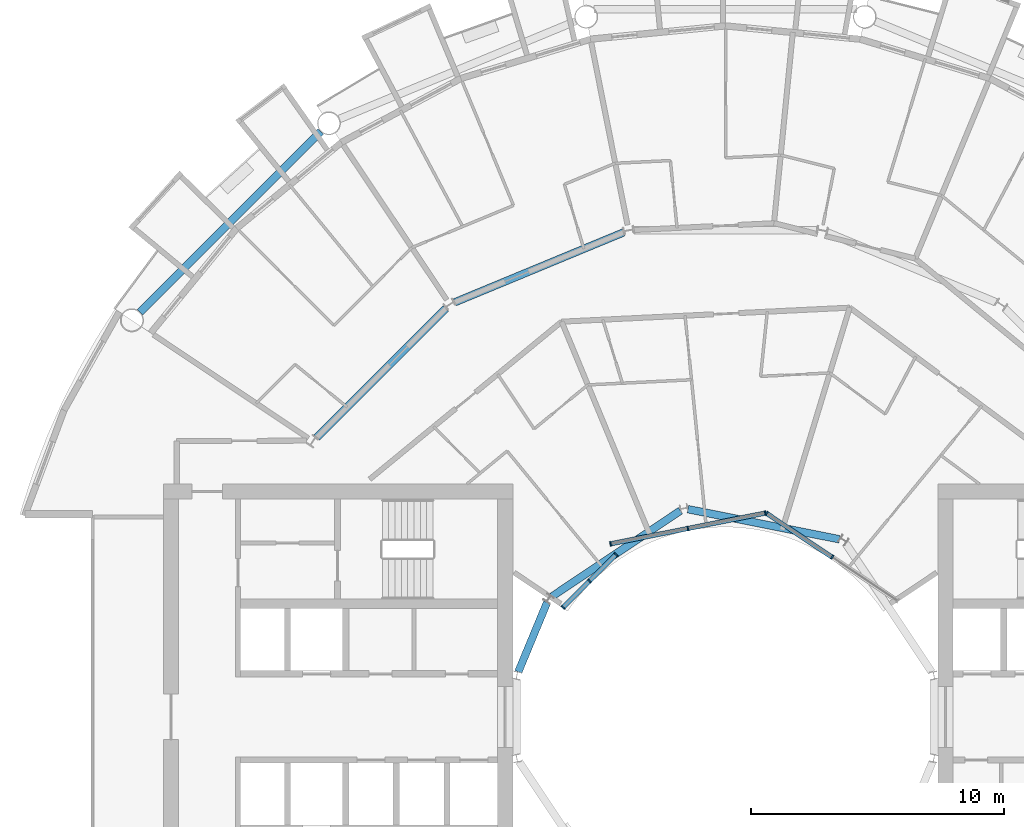
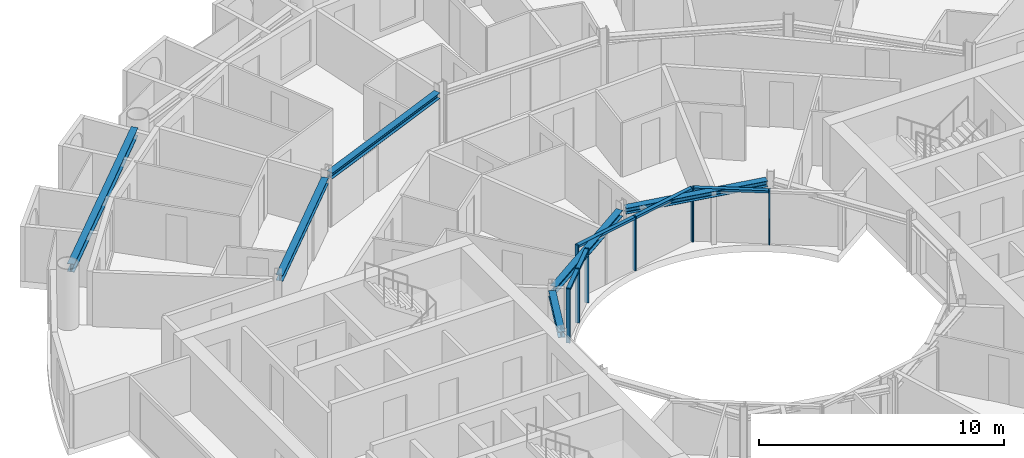
# One storey, part 8 of 27: 13 members, 6 beams, 3 elements without a shape of their own.
"""IFC4 building model written with IfcOpenShell, lengths in metres."""

from ifc_helpers import new_model, si_unit, direction, frame, origin, origin_2d, place, context, subcontext, project, spatial, rectangle, i_section, extrude, material, layer, layer_set, material_profile, profile_set, type_object, element, aggregate, save


model = new_model("IFC4")

# Units and contexts
model_context = context("Model", 3, precision=1e-05, world=origin(), true_north=direction((0.0, 1.0)))
body_context = subcontext(model_context, "Body", "Model", "MODEL_VIEW")
ifc_project = project(units=[si_unit("LENGTHUNIT", "METRE"), si_unit("AREAUNIT", "SQUARE_METRE"), si_unit("VOLUMEUNIT", "CUBIC_METRE"), si_unit("PLANEANGLEUNIT", "RADIAN"), si_unit("MASSUNIT", "GRAM", prefix="KILO")], contexts=[model_context])

# Site, building, storey
site_placement = place(None, origin())
site = spatial("IfcSite", under=ifc_project, at=site_placement, CompositionType="ELEMENT")
building_placement = place(site_placement, origin())
building = spatial("IfcBuilding", under=site, at=building_placement, Name="Maasbend Ring Residences", CompositionType="ELEMENT")
storey_placement = place(building_placement, frame((0.0, 0.0, 114.699951171875)))
storey = spatial("IfcBuildingStorey", under=building, at=storey_placement, Name="L32", CompositionType="ELEMENT", Elevation=114.699951171875)

# Curtain wall, members
ifc_material_1 = material(Name="Aluminium and clear glass", Category="aluminium")
ifc_layer = layer(ifc_material_1, 0.179931640625)
ifc_layer_set = layer_set([ifc_layer], Name="CW-W")
curtain_wall_type = type_object("IfcCurtainWallType", Name="CW-W", PredefinedType="NOTDEFINED", material=ifc_layer_set)
curtain_wall_1_placement = place(storey_placement, origin())
curtain_wall_1 = element("IfcCurtainWall", 1, at=curtain_wall_1_placement, inside=storey, type_object=curtain_wall_type, Name="Well curtain wall N1", PredefinedType="NOTDEFINED")
ifc_material_2 = material(Name="Aluminium 6063-T6", Category="aluminium")
ifc_material_profile_1 = material_profile(ifc_material_2, rectangle(XDim=0.179931640625, YDim=0.06005859375, at=origin_2d()), Name="AL 180x60")
ifc_profile_set_1 = profile_set([ifc_material_profile_1], Name="Aluminium 6063-T6")
member_type_1 = type_object("IfcMemberType", Name="CWM-W", PredefinedType="MULLION", material=ifc_profile_set_1)
member_1_placement = place(storey_placement, frame((4.216796875, 6.310791015625, 0.0), z_axis=(0.0, 0.0, 1.0), x_axis=(-0.55557023302, -0.831469612303, 0.0)))
member_1 = element("IfcMember", 2, at=member_1_placement, type_object=member_type_1, Name="Mullion well face", PredefinedType="MULLION", context=body_context, shape_type="SweptSolid", body=[
    extrude(rectangle(XDim=0.179931640625, YDim=0.06005859375, at=origin_2d()), origin(), (0.0, 0.0, 1.0), 2.699951171875),
])
member_2_placement = place(storey_placement, frame((1.627685546875, 8.040771484375, 0.0), z_axis=(0.0, 0.0, 1.0), x_axis=(-0.55557023302, -0.831469612303, 0.0)))
member_2 = element("IfcMember", 3, at=member_2_placement, type_object=member_type_1, Name="Mullion well face", PredefinedType="MULLION", context=body_context, shape_type="SweptSolid", body=[
    extrude(rectangle(XDim=0.179931640625, YDim=0.06005859375, at=origin_2d()), origin(), (0.0, 0.0, 1.0), 2.699951171875),
])

curtain_wall_2_placement = place(storey_placement, origin())
curtain_wall_2 = element("IfcCurtainWall", 4, at=curtain_wall_2_placement, inside=storey, type_object=curtain_wall_type, Name="Well curtain wall N2", PredefinedType="NOTDEFINED")
member_3_placement = place(storey_placement, frame((1.5732421875, 8.0517578125, 0.0), z_axis=(0.0, 0.0, 1.0), x_axis=(0.195090322016, -0.980785280403, 0.0)))
member_3 = element("IfcMember", 5, at=member_3_placement, type_object=member_type_1, Name="Mullion well face", PredefinedType="MULLION", context=body_context, shape_type="SweptSolid", body=[
    extrude(rectangle(XDim=0.179931640625, YDim=0.06005859375, at=origin_2d()), origin(), (0.0, 0.0, 1.0), 2.699951171875),
])
member_4_placement = place(storey_placement, frame((-1.480712890625, 7.444091796875, 0.0), z_axis=(0.0, 0.0, 1.0), x_axis=(0.195090322016, -0.980785280403, 0.0)))
member_4 = element("IfcMember", 6, at=member_4_placement, type_object=member_type_1, Name="Mullion well face", PredefinedType="MULLION", context=body_context, shape_type="SweptSolid", body=[
    extrude(rectangle(XDim=0.179931640625, YDim=0.06005859375, at=origin_2d()), origin(), (0.0, 0.0, 1.0), 2.699951171875),
])
member_5_placement = place(storey_placement, frame((-4.53466796875, 6.836669921875, 0.0), z_axis=(0.0, 0.0, 1.0), x_axis=(0.195090322016, -0.980785280403, 0.0)))
member_5 = element("IfcMember", 7, at=member_5_placement, type_object=member_type_1, Name="Mullion well face", PredefinedType="MULLION", context=body_context, shape_type="SweptSolid", body=[
    extrude(rectangle(XDim=0.179931640625, YDim=0.06005859375, at=origin_2d()), origin(), (0.0, 0.0, 1.0), 2.699951171875),
])

curtain_wall_3_placement = place(storey_placement, origin())
curtain_wall_3 = element("IfcCurtainWall", 8, at=curtain_wall_3_placement, inside=storey, type_object=curtain_wall_type, Name="Well curtain wall N3", PredefinedType="NOTDEFINED")
member_6_placement = place(storey_placement, frame((-4.320556640625, 6.413330078125, 0.0), z_axis=(0.0, 0.0, 1.0), x_axis=(0.707106781187, -0.707106781187, 0.0)))
member_6 = element("IfcMember", 9, at=member_6_placement, type_object=member_type_1, Name="Mullion well face", PredefinedType="MULLION", context=body_context, shape_type="SweptSolid", body=[
    extrude(rectangle(XDim=0.179931640625, YDim=0.06005859375, at=origin_2d()), origin(), (0.0, 0.0, 1.0), 2.699951171875),
])
member_7_placement = place(storey_placement, frame((-5.366943359375, 5.366943359375, 0.0), z_axis=(0.0, 0.0, 1.0), x_axis=(0.707106781187, -0.707106781187, 0.0)))
member_7 = element("IfcMember", 10, at=member_7_placement, type_object=member_type_1, Name="Mullion well face", PredefinedType="MULLION", context=body_context, shape_type="SweptSolid", body=[
    extrude(rectangle(XDim=0.179931640625, YDim=0.06005859375, at=origin_2d()), origin(), (0.0, 0.0, 1.0), 2.699951171875),
])
member_8_placement = place(storey_placement, frame((-6.413330078125, 4.320556640625, 0.0), z_axis=(0.0, 0.0, 1.0), x_axis=(0.707106781187, -0.707106781187, 0.0)))
member_8 = element("IfcMember", 11, at=member_8_placement, type_object=member_type_1, Name="Mullion well face", PredefinedType="MULLION", context=body_context, shape_type="SweptSolid", body=[
    extrude(rectangle(XDim=0.179931640625, YDim=0.06005859375, at=origin_2d()), origin(), (0.0, 0.0, 1.0), 2.699951171875),
])

# Member
ifc_material_3 = material(Name="Aluminium 6063-T6", Category="aluminium")
ifc_material_profile_2 = material_profile(ifc_material_3, rectangle(XDim=0.179931640625, YDim=0.1201171875, at=origin_2d()), Name="AL 180x120")
ifc_profile_set_2 = profile_set([ifc_material_profile_2], Name="Aluminium 6063-T6")
member_type_2 = type_object("IfcMemberType", Name="CWT-W", PredefinedType="USERDEFINED", material=ifc_profile_set_2)
member_9_placement = place(storey_placement, frame((4.19189453125, 6.32763671875, 2.64013671875), z_axis=(-0.831496422459, 0.555530106689, 0.0), x_axis=(-0.555530106689, -0.831496422459, 0.0)))
member_9 = element("IfcMember", 12, at=member_9_placement, type_object=member_type_2, Name="Transom well face", ObjectType="TRANSOM", PredefinedType="USERDEFINED", context=body_context, shape_type="SweptSolid", body=[
    extrude(rectangle(XDim=0.179931640625, YDim=0.1201171875, at=origin_2d()), origin(), (0.0, 0.0, 1.0), 3.053955078125),
])

aggregate(curtain_wall_1, [member_1, member_2, member_9])

member_10_placement = place(storey_placement, frame((1.5439453125, 8.0458984375, 2.64013671875), z_axis=(-0.980776956105, -0.195132166424, 0.0), x_axis=(0.195132166424, -0.980776956105, 0.0)))
member_10 = element("IfcMember", 13, at=member_10_placement, type_object=member_type_2, Name="Transom well face", ObjectType="TRANSOM", PredefinedType="USERDEFINED", context=body_context, shape_type="SweptSolid", body=[
    extrude(rectangle(XDim=0.179931640625, YDim=0.1201171875, at=origin_2d()), origin(), (0.0, 0.0, 1.0), 3.053955078125),
])

member_11_placement = place(storey_placement, frame((-1.51025390625, 7.438232421875, 2.64013671875), z_axis=(-0.980789210404, -0.19507056353, 0.0), x_axis=(0.19507056353, -0.980789210404, 0.0)))
member_11 = element("IfcMember", 14, at=member_11_placement, type_object=member_type_2, Name="Transom well face", ObjectType="TRANSOM", PredefinedType="USERDEFINED", context=body_context, shape_type="SweptSolid", body=[
    extrude(rectangle(XDim=0.179931640625, YDim=0.1201171875, at=origin_2d()), origin(), (0.0, 0.0, 1.0), 3.0537109375),
])

aggregate(curtain_wall_2, [member_3, member_4, member_5, member_10, member_11])

member_12_placement = place(storey_placement, frame((-4.341796875, 6.39208984375, 2.64013671875), z_axis=(-0.707106781187, -0.707106781187, 0.0), x_axis=(0.707106781187, -0.707106781187, 0.0)))
member_12 = element("IfcMember", 15, at=member_12_placement, type_object=member_type_2, Name="Transom well face", ObjectType="TRANSOM", PredefinedType="USERDEFINED", context=body_context, shape_type="SweptSolid", body=[
    extrude(rectangle(XDim=0.179931640625, YDim=0.1201171875, at=origin_2d()), origin(), (0.0, 0.0, 1.0), 1.419677734375),
])

member_13_placement = place(storey_placement, frame((-5.38818359375, 5.345703125, 2.64013671875), z_axis=(-0.707106781187, -0.707106781187, 0.0), x_axis=(0.707106781187, -0.707106781187, 0.0)))
member_13 = element("IfcMember", 16, at=member_13_placement, type_object=member_type_2, Name="Transom well face", ObjectType="TRANSOM", PredefinedType="USERDEFINED", context=body_context, shape_type="SweptSolid", body=[
    extrude(rectangle(XDim=0.179931640625, YDim=0.1201171875, at=origin_2d()), origin(), (0.0, 0.0, 1.0), 1.419677734375),
])

aggregate(curtain_wall_3, [member_6, member_7, member_8, member_12, member_13])

# Beams
ifc_material_4 = material(Name="Steel S355J2", Category="steel")
ifc_material_profile_3 = material_profile(ifc_material_4, i_section(OverallWidth=0.300048828125, OverallDepth=0.2900390625, WebThickness=0.008544921875, FlangeThickness=0.013916015625, FilletRadius=0.027099609375, at=origin_2d()), Name="HEA 300")
ifc_profile_set_3 = profile_set([ifc_material_profile_3], Name="Steel S355J2")
beam_type_1 = type_object("IfcBeamType", Name="Corridor ring beam HEA 300", PredefinedType="BEAM", material=ifc_profile_set_3)
for number, where, z_axis, x_axis, name in (
    (17, (-4.02734375, 19.13916015625, 2.554931640625), (-0.923877693919, -0.382687871089, 0.0), (0.382687871089, -0.923877693919, 0.0), "Corridor ring beam"),
    (18, (-11.044921875, 16.14111328125, 2.554931640625), (-0.707106781187, -0.707106781187, 0.0), (0.707106781187, -0.707106781187, 0.0), "Corridor ring beam"),
):
    element("IfcBeam", number, at=place(storey_placement, frame(where, z_axis=z_axis, x_axis=x_axis)), inside=storey, type_object=beam_type_1, Name=name, PredefinedType="BEAM", context=body_context, shape_type="SweptSolid", body=[
        extrude(i_section(OverallWidth=0.300048828125, OverallDepth=0.2900390625, WebThickness=0.008544921875, FlangeThickness=0.013916015625, FilletRadius=0.027099609375, at=origin_2d()), origin(), (0.0, 0.0, 1.0), 7.20703125),
    ])
ifc_material_5 = material(Name="Steel S355J2", Category="steel")
ifc_material_profile_4 = material_profile(ifc_material_5, i_section(OverallWidth=0.300048828125, OverallDepth=0.39990234375, WebThickness=0.013427734375, FlangeThickness=0.02392578125, FilletRadius=0.027099609375, at=origin_2d()), Name="HEB 400")
ifc_profile_set_4 = profile_set([ifc_material_profile_4], Name="Steel S355J2")
beam_type_2 = type_object("IfcBeamType", Name="Spandrel ring beam HEB 400", PredefinedType="SPANDREL", material=ifc_profile_set_4)
beam_1_placement = place(storey_placement, frame((-15.990234375, 23.124267578125, 2.5), z_axis=(-0.707106781187, -0.707106781187, 0.0), x_axis=(0.707106781187, -0.707106781187, 0.0)))
element("IfcBeam", 19, at=beam_1_placement, inside=storey, type_object=beam_type_2, Name="Spandrel ring beam", PredefinedType="SPANDREL", context=body_context, shape_type="SweptSolid", body=[
    extrude(i_section(OverallWidth=0.300048828125, OverallDepth=0.39990234375, WebThickness=0.013427734375, FlangeThickness=0.02392578125, FilletRadius=0.027099609375, at=origin_2d()), origin(), (0.0, 0.0, 1.0), 10.089111328125),
])
ifc_material_6 = material(Name="Steel S355J2", Category="steel")
ifc_material_profile_5 = material_profile(ifc_material_6, i_section(OverallWidth=0.300048828125, OverallDepth=0.2900390625, WebThickness=0.008544921875, FlangeThickness=0.013916015625, FilletRadius=0.027099609375, at=origin_2d()), Name="HEA 300")
ifc_profile_set_5 = profile_set([ifc_material_profile_5], Name="Steel S355J2")
beam_type_3 = type_object("IfcBeamType", Name="Well edge beam HEA 300", PredefinedType="BEAM", material=ifc_profile_set_5)
beam_2_placement = place(storey_placement, frame((4.507568359375, 7.01611328125, 2.554931640625), z_axis=(-0.980792381321, 0.195054619896, 0.0), x_axis=(-0.195054619896, -0.980792381321, 0.0)))
element("IfcBeam", 20, at=beam_2_placement, inside=storey, type_object=beam_type_3, Name="Well edge beam", PredefinedType="BEAM", context=body_context, shape_type="SweptSolid", body=[
    extrude(i_section(OverallWidth=0.300048828125, OverallDepth=0.2900390625, WebThickness=0.008544921875, FlangeThickness=0.013916015625, FilletRadius=0.027099609375, at=origin_2d()), origin(), (0.0, 0.0, 1.0), 6.104248046875),
])
beam_3_placement = place(storey_placement, frame((-1.773681640625, 8.1484375, 2.554931640625), z_axis=(-0.831477628137, -0.555558236289, 0.0), x_axis=(0.555558236289, -0.831477628137, 0.0)))
element("IfcBeam", 21, at=beam_3_placement, inside=storey, type_object=beam_type_3, Name="Well edge beam", PredefinedType="BEAM", context=body_context, shape_type="SweptSolid", body=[
    extrude(i_section(OverallWidth=0.300048828125, OverallDepth=0.2900390625, WebThickness=0.008544921875, FlangeThickness=0.013916015625, FilletRadius=0.027099609375, at=origin_2d()), origin(), (0.0, 0.0, 1.0), 6.1044921875),
])
beam_4_placement = place(storey_placement, frame((-7.042724609375, 4.525390625, 2.554931640625), z_axis=(-0.382765370874, -0.923845588212, 0.0), x_axis=(0.923845588212, -0.382765370874, 0.0)))
element("IfcBeam", 22, at=beam_4_placement, inside=storey, type_object=beam_type_3, Name="Well edge beam", PredefinedType="BEAM", context=body_context, shape_type="SweptSolid", body=[
    extrude(i_section(OverallWidth=0.300048828125, OverallDepth=0.2900390625, WebThickness=0.008544921875, FlangeThickness=0.013916015625, FilletRadius=0.027099609375, at=origin_2d()), origin(), (0.0, 0.0, 1.0), 2.9716796875),
])

save(model, "model.ifc")
